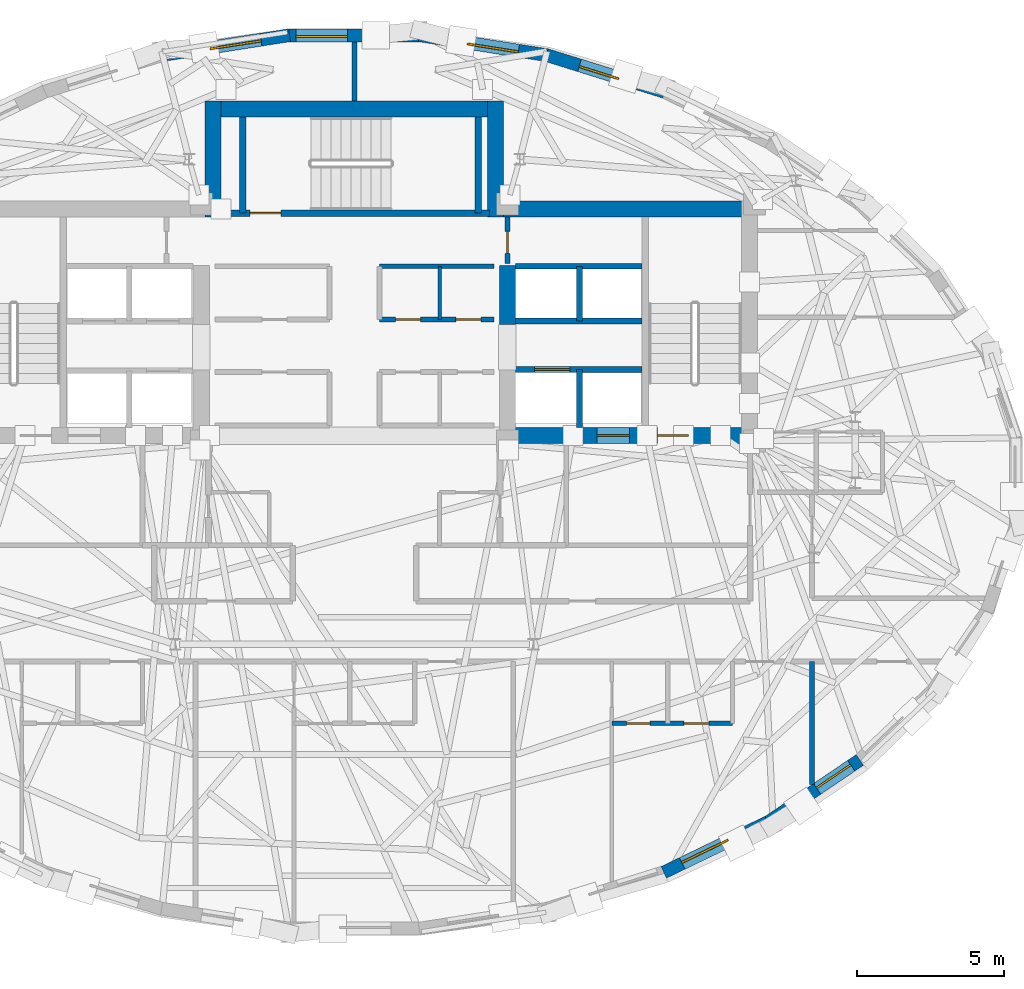
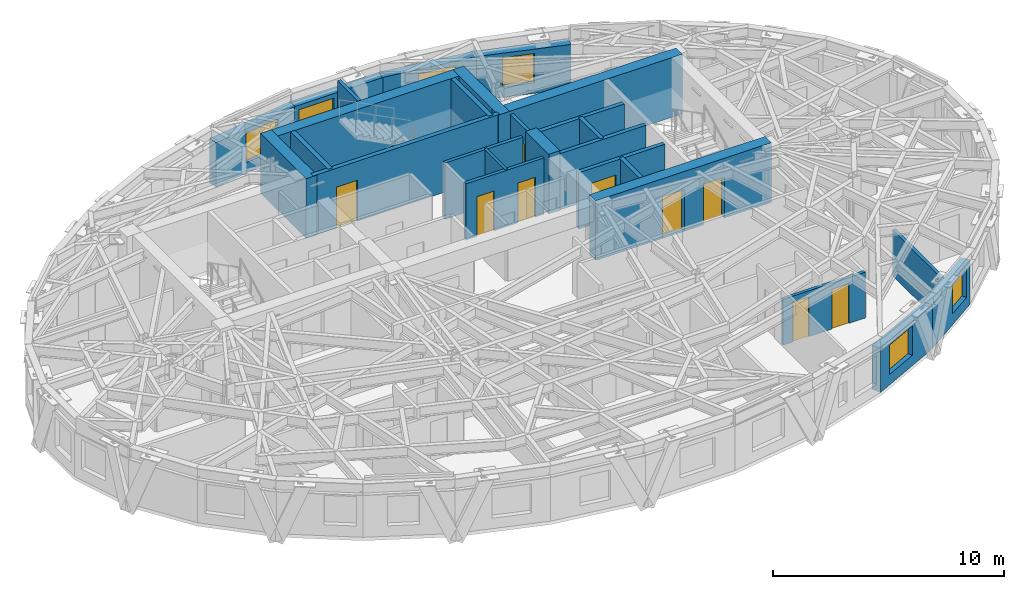
# One storey, part 9 of 14: 27 walls, 9 doors, 6 windows, 15 openings.
"""IFC4 building model written with IfcOpenShell, lengths in metres."""

from ifc_helpers import new_model, si_unit, direction, frame, frame_2d, origin, place, context, subcontext, project, spatial, rectangle, extrude, material, layer, layer_set, type_object, element, fill, save


model = new_model("IFC4")

# Units and contexts
model_context = context("Model", 3, precision=1e-05, world=origin(), true_north=direction((0.0, 1.0)))
body_context = subcontext(model_context, "Body", "Model", "MODEL_VIEW")
ifc_project = project(units=[si_unit("LENGTHUNIT", "METRE"), si_unit("AREAUNIT", "SQUARE_METRE"), si_unit("VOLUMEUNIT", "CUBIC_METRE"), si_unit("PLANEANGLEUNIT", "RADIAN"), si_unit("MASSUNIT", "GRAM", prefix="KILO")], contexts=[model_context])

# Site, building, storey
site_placement = place(None, origin())
site = spatial("IfcSite", under=ifc_project, at=site_placement, CompositionType="ELEMENT")
building_placement = place(site_placement, origin())
building = spatial("IfcBuilding", under=site, at=building_placement, Name="Keldmark Tower", CompositionType="ELEMENT")
storey_placement = place(building_placement, frame((0.0, 0.0, 225.75)))
storey = spatial("IfcBuildingStorey", under=building, at=storey_placement, Name="L63", CompositionType="ELEMENT", Elevation=225.75)

# Wall
ifc_material_1 = material(Name="Concrete C50/60", Category="concrete")
ifc_layer_1 = layer(ifc_material_1, 0.550048828125)
ifc_layer_set_1 = layer_set([ifc_layer_1], Name="Concrete C50/60")
wall_type_1 = type_object("IfcWallType", Name="High-Rise Core Shear Wall 550 mm", PredefinedType="SHEAR", material=ifc_layer_set_1)
wall_1_placement = place(storey_placement, frame((4.52490234375, 9.27490234375, 0.0), z_axis=(0.0, 0.0, 1.0), x_axis=(1.0, 0.0, 0.0)))
element("IfcWall", 1, at=wall_1_placement, inside=storey, type_object=wall_type_1, Name="L63 East Core North Shear Wall", PredefinedType="SHEAR", context=body_context, shape_type="SweptSolid", body=[
    extrude(rectangle(XDim=9.175048828125, YDim=0.550048828125, at=frame_2d((4.58740234375, 0.0))), origin(), (0.0, 0.0, 1.0), 3.14990234375),
])

# Wall, openings, doors
wall_2_placement = place(storey_placement, frame((13.699951171875, 1.574951171875, 0.0), z_axis=(0.0, 0.0, 1.0), x_axis=(-1.0, 0.0, 0.0)))
wall_2 = element("IfcWall", 2, at=wall_2_placement, inside=storey, type_object=wall_type_1, Name="L63 East Core South Shear Wall", PredefinedType="SHEAR", context=body_context, shape_type="SweptSolid", body=[
    extrude(rectangle(XDim=8.77490234375, YDim=0.550048828125, at=frame_2d((4.387451171875, 0.0))), origin(), (0.0, 0.0, 1.0), 3.14990234375),
])
opening_1_placement = place(wall_2_placement, frame((2.35009765625, 0.0, 0.0)))
opening_1 = element("IfcOpeningElement", 3, at=opening_1_placement, cuts=wall_2, Name="Opening D-ST105", PredefinedType="OPENING", context=body_context, shape_type="SweptSolid", body=[
    extrude(rectangle(XDim=1.050048828125, YDim=2.14990234375, at=frame_2d((0.52490234375, 1.074951171875))), frame((0.0, 0.284912109375, 0.0), z_axis=(0.0, -1.0, 0.0), x_axis=(1.0, 0.0, 0.0)), (0.0, 0.0, 1.0), 0.570068359375),
])
opening_2_placement = place(wall_2_placement, frame((4.35009765625, 0.0, 0.0)))
opening_2 = element("IfcOpeningElement", 4, at=opening_2_placement, cuts=wall_2, Name="Opening LD-110", PredefinedType="OPENING", context=body_context, shape_type="SweptSolid", body=[
    extrude(rectangle(XDim=1.10009765625, YDim=2.199951171875, at=frame_2d((0.550048828125, 1.10009765625))), frame((0.0, 0.284912109375, 0.0), z_axis=(0.0, -1.0, 0.0), x_axis=(1.0, 0.0, 0.0)), (0.0, 0.0, 1.0), 0.570068359375),
])
ifc_material_2 = material(Name="Brushed Bronze Hoistway Sliding Leaf", Category="metal")
door_type_1 = type_object("IfcDoorType", Name="Lift Landing Sliding Door 1100x2200", OperationType="SLIDING_TO_LEFT", PredefinedType="DOOR", material=ifc_material_2)
door_1_placement = place(opening_2_placement, origin())
door_1 = element("IfcDoor", 5, at=door_1_placement, inside=storey, type_object=door_type_1, Name="L63 Lift Landing Sliding Door 1100x2200 LD-EL-FS2-L63", OperationType="SLIDING_TO_LEFT", OverallHeight=2.199951171875, OverallWidth=1.10009765625, PredefinedType="DOOR", context=body_context, shape_type="SweptSolid", body=[
    extrude(rectangle(XDim=1.10009765625, YDim=2.199951171875, at=frame_2d((0.550048828125, 1.10009765625))), frame((0.0, 0.02490234375, 0.0), z_axis=(0.0, -1.0, 0.0), x_axis=(1.0, 0.0, 0.0)), (0.0, 0.0, 1.0), 0.050048828125),
])
fill(opening_2, door_1)
ifc_material_3 = material(Name="Hollow Metal Fire-Rated Door Assembly", Category="metal")
door_type_2 = type_object("IfcDoorType", Name="Stair Fire Door 1050x2150", OperationType="NOTDEFINED", PredefinedType="DOOR", material=ifc_material_3)
door_2_placement = place(opening_1_placement, origin())
door_2 = element("IfcDoor", 6, at=door_2_placement, inside=storey, type_object=door_type_2, Name="L63 Stair Fire Door 1050x2150 D-ST2-L63", OperationType="SINGLE_SWING_LEFT", OverallHeight=2.14990234375, OverallWidth=1.050048828125, PredefinedType="DOOR", context=body_context, shape_type="SweptSolid", body=[
    extrude(rectangle(XDim=1.050048828125, YDim=2.14990234375, at=frame_2d((0.52490234375, 1.074951171875))), frame((0.0, 0.02490234375, 0.0), z_axis=(0.0, -1.0, 0.0), x_axis=(1.0, 0.0, 0.0)), (0.0, 0.0, 1.0), 0.050048828125),
])
fill(opening_1, door_2)

# Walls
wall_3_placement = place(storey_placement, frame((5.199951171875, 5.35009765625, 0.0), z_axis=(0.0, 0.0, 1.0), x_axis=(0.0, 1.0, 0.0)))
element("IfcWall", 7, at=wall_3_placement, inside=storey, type_object=wall_type_1, Name="L63 East Core Inner Shear Pier North", PredefinedType="SHEAR", context=body_context, shape_type="SweptSolid", body=[
    extrude(rectangle(XDim=2.0, YDim=0.550048828125, at=frame_2d((1.0, 0.0))), origin(), (0.0, 0.0, 1.0), 3.14990234375),
])
wall_4_placement = place(storey_placement, frame((-5.074951171875, 12.675048828125, 0.0), z_axis=(0.0, 0.0, 1.0), x_axis=(1.0, 0.0, 0.0)))
element("IfcWall", 8, at=wall_4_placement, inside=storey, type_object=wall_type_1, Name="L63 North Core Shear Wall", PredefinedType="SHEAR", context=body_context, shape_type="SweptSolid", body=[
    extrude(rectangle(XDim=10.14990234375, YDim=0.550048828125, at=frame_2d((5.074951171875, 0.0))), origin(), (0.0, 0.0, 1.0), 3.14990234375),
])
for number, where, z_axis, x_axis, name in (
    (9, (-4.800048828125, 9.0, 0.0), (0.0, 0.0, 1.0), (0.0, 1.0, 0.0), "L63 North Core West Shear Wall"),
    (10, (4.800048828125, 9.0, 0.0), (0.0, 0.0, 1.0), (0.0, 1.0, 0.0), "L63 North Core East Shear Wall"),
):
    element("IfcWall", number, at=place(storey_placement, frame(where, z_axis=z_axis, x_axis=x_axis)), inside=storey, type_object=wall_type_1, Name=name, PredefinedType="SHEAR", context=body_context, shape_type="SweptSolid", body=[
        extrude(rectangle(XDim=3.949951171875, YDim=0.550048828125, at=frame_2d((1.97509765625, 0.0))), origin(), (0.0, 0.0, 1.0), 3.14990234375),
    ])
ifc_material_4 = material(Name="Acoustic Gypsum Board Interior Partition", Category="gypsum")
ifc_layer_2 = layer(ifc_material_4, 0.1298828125)
ifc_layer_set_2 = layer_set([ifc_layer_2], Name="Acoustic Gypsum Board Interior Partition")
wall_type_2 = type_object("IfcWallType", Name="Interior Partition 130 mm", PredefinedType="PARTITIONING", material=ifc_layer_set_2)
wall_5_placement = place(storey_placement, frame((2.89990234375, 5.52001953125, 0.0), z_axis=(0.0, 0.0, 1.0), x_axis=(0.0, 1.0, 0.0)))
element("IfcWall", 11, at=wall_5_placement, inside=storey, type_object=wall_type_2, Name="L63 Interior Partition 130 mm REC-ME-M", PredefinedType="PARTITIONING", context=body_context, shape_type="SweptSolid", body=[
    extrude(rectangle(XDim=1.81005859375, YDim=0.1298828125, at=frame_2d((0.905029296875, 0.0))), origin(), (0.0, 0.0, 1.0), 2.969970703125),
])

# Wall, openings, doors
ifc_material_5 = material(Name="Type X Fire-Rated Gypsum Partition Assembly", Category="gypsum")
ifc_layer_3 = layer(ifc_material_5, 0.1650390625)
ifc_layer_set_3 = layer_set([ifc_layer_3], Name="Type X Fire-Rated Gypsum Partition Assembly")
wall_type_3 = type_object("IfcWallType", Name="Rated Partition 165 mm", PredefinedType="PARTITIONING", material=ifc_layer_set_3)
wall_6_placement = place(storey_placement, frame((0.85009765625, 5.52001953125, 0.0), z_axis=(0.0, 0.0, 1.0), x_axis=(1.0, 0.0, 0.0)))
wall_6 = element("IfcWall", 12, at=wall_6_placement, inside=storey, type_object=wall_type_3, Name="L63 Rated Partition 165 mm REC-ME-S", PredefinedType="PARTITIONING", context=body_context, shape_type="SweptSolid", body=[
    extrude(rectangle(XDim=3.889892578125, YDim=0.1650390625, at=frame_2d((1.94482421875, 0.0))), origin(), (0.0, 0.0, 1.0), 2.969970703125),
])
opening_3_placement = place(wall_6_placement, frame((0.550048828125, 0.0, 0.0)))
opening_3 = element("IfcOpeningElement", 13, at=opening_3_placement, cuts=wall_6, Name="Opening D-SV085", PredefinedType="OPENING", context=body_context, shape_type="SweptSolid", body=[
    extrude(rectangle(XDim=0.85009765625, YDim=2.10009765625, at=frame_2d((0.425048828125, 1.050048828125))), frame((0.0, 0.092529296875, 0.0), z_axis=(0.0, -1.0, 0.0), x_axis=(1.0, 0.0, 0.0)), (0.0, 0.0, 1.0), 0.18505859375),
])
opening_4_placement = place(wall_6_placement, frame((2.60009765625, 0.0, 0.0)))
opening_4 = element("IfcOpeningElement", 14, at=opening_4_placement, cuts=wall_6, Name="Opening D-SV085", PredefinedType="OPENING", context=body_context, shape_type="SweptSolid", body=[
    extrude(rectangle(XDim=0.85009765625, YDim=2.10009765625, at=frame_2d((0.425048828125, 1.050048828125))), frame((0.0, 0.092529296875, 0.0), z_axis=(0.0, -1.0, 0.0), x_axis=(1.0, 0.0, 0.0)), (0.0, 0.0, 1.0), 0.18505859375),
])
ifc_material_6 = material(Name="Painted Hollow Metal Door Assembly", Category="metal")
door_type_3 = type_object("IfcDoorType", Name="Service Door 850x2100", OperationType="NOTDEFINED", PredefinedType="DOOR", material=ifc_material_6)
door_3_placement = place(opening_3_placement, origin())
door_3 = element("IfcDoor", 15, at=door_3_placement, inside=storey, type_object=door_type_3, Name="L63 Service Door 850x2100 D-RECME1-L63", OperationType="SINGLE_SWING_LEFT", OverallHeight=2.10009765625, OverallWidth=0.85009765625, PredefinedType="DOOR", context=body_context, shape_type="SweptSolid", body=[
    extrude(rectangle(XDim=0.85009765625, YDim=2.10009765625, at=frame_2d((0.425048828125, 1.050048828125))), frame((0.0, 0.02490234375, 0.0), z_axis=(0.0, -1.0, 0.0), x_axis=(1.0, 0.0, 0.0)), (0.0, 0.0, 1.0), 0.050048828125),
])
fill(opening_3, door_3)
door_4_placement = place(opening_4_placement, origin())
door_4 = element("IfcDoor", 16, at=door_4_placement, inside=storey, type_object=door_type_3, Name="L63 Service Door 850x2100 D-RECME2-L63", OperationType="SINGLE_SWING_RIGHT", OverallHeight=2.10009765625, OverallWidth=0.85009765625, PredefinedType="DOOR", context=body_context, shape_type="SweptSolid", body=[
    extrude(rectangle(XDim=0.85009765625, YDim=2.10009765625, at=frame_2d((0.425048828125, 1.050048828125))), frame((0.0, 0.02490234375, 0.0), z_axis=(0.0, -1.0, 0.0), x_axis=(1.0, 0.0, 0.0)), (0.0, 0.0, 1.0), 0.050048828125),
])
fill(opening_4, door_4)

# Wall
wall_7_placement = place(storey_placement, frame((0.85009765625, 7.330078125, 0.0), z_axis=(0.0, 0.0, 1.0), x_axis=(1.0, 0.0, 0.0)))
element("IfcWall", 17, at=wall_7_placement, inside=storey, type_object=wall_type_3, Name="L63 Rated Partition 165 mm REC-ME-N", PredefinedType="PARTITIONING", context=body_context, shape_type="SweptSolid", body=[
    extrude(rectangle(XDim=3.889892578125, YDim=0.1650390625, at=frame_2d((1.94482421875, 0.0))), origin(), (0.0, 0.0, 1.0), 2.969970703125),
])

# Wall, opening, door
wall_8_placement = place(storey_placement, frame((5.199951171875, 7.419921875, 0.0), z_axis=(0.0, 0.0, 1.0), x_axis=(0.0, 1.0, 0.0)))
wall_8 = element("IfcWall", 18, at=wall_8_placement, inside=storey, type_object=wall_type_3, Name="L63 Rated Partition 165 mm CS-NE-W", PredefinedType="PARTITIONING", context=body_context, shape_type="SweptSolid", body=[
    extrude(rectangle(XDim=1.580078125, YDim=0.1650390625, at=frame_2d((0.7900390625, 0.0))), origin(), (0.0, 0.0, 1.0), 2.969970703125),
])
opening_5_placement = place(wall_8_placement, frame((0.35009765625, 0.0, 0.0)))
opening_5 = element("IfcOpeningElement", 19, at=opening_5_placement, cuts=wall_8, Name="Opening D-RS075", PredefinedType="OPENING", context=body_context, shape_type="SweptSolid", body=[
    extrude(rectangle(XDim=0.75, YDim=2.10009765625, at=frame_2d((0.375, 1.050048828125))), frame((0.0, 0.092529296875, 0.0), z_axis=(0.0, -1.0, 0.0), x_axis=(1.0, 0.0, 0.0)), (0.0, 0.0, 1.0), 0.18505859375),
])
ifc_material_7 = material(Name="Galvanized Fire-Rated Access Leaf", Category="metal")
door_type_4 = type_object("IfcDoorType", Name="Riser Access Door 750x2100", OperationType="NOTDEFINED", PredefinedType="DOOR", material=ifc_material_7)
door_5_placement = place(opening_5_placement, origin())
door_5 = element("IfcDoor", 20, at=door_5_placement, inside=storey, type_object=door_type_4, Name="L63 Riser Access Door 750x2100 D-CSNE1-L63", OperationType="SINGLE_SWING_LEFT", OverallHeight=2.10009765625, OverallWidth=0.75, PredefinedType="DOOR", context=body_context, shape_type="SweptSolid", body=[
    extrude(rectangle(XDim=0.75, YDim=2.10009765625, at=frame_2d((0.375, 1.050048828125))), frame((0.0, 0.02490234375, 0.0), z_axis=(0.0, -1.0, 0.0), x_axis=(1.0, 0.0, 0.0)), (0.0, 0.0, 1.0), 0.050048828125),
])
fill(opening_5, door_5)

# Walls
wall_9_placement = place(storey_placement, frame((0.0, 12.949951171875, 0.0), z_axis=(0.0, 0.0, 1.0), x_axis=(0.0, 1.0, 0.0)))
element("IfcWall", 21, at=wall_9_placement, inside=storey, type_object=wall_type_3, Name="L63 Rated Partition 165 mm RN-DIV", PredefinedType="PARTITIONING", context=body_context, shape_type="SweptSolid", body=[
    extrude(rectangle(XDim=2.002685546875, YDim=0.1650390625, at=frame_2d((1.00146484375, 0.0))), origin(), (0.0, 0.0, 1.0), 2.969970703125),
])
wall_10_placement = place(storey_placement, frame((15.550048828125, -10.27490234375, 0.0), z_axis=(0.0, 0.0, 1.0), x_axis=(0.0, 1.0, 0.0)))
element("IfcWall", 22, at=wall_10_placement, inside=storey, type_object=wall_type_3, Name="L63 Rated Partition 165 mm RS-ECAP", PredefinedType="PARTITIONING", context=body_context, shape_type="SweptSolid", body=[
    extrude(rectangle(XDim=4.1748046875, YDim=0.1650390625, at=frame_2d((2.08740234375, 0.0))), origin(), (0.0, 0.0, 1.0), 2.423095703125),
])

# Wall, opening, door
ifc_material_8 = material(Name="Fire-Resistant Type X Gypsum Shaftliner Coreboard", Category="gypsum")
ifc_layer_4 = layer(ifc_material_8, 0.199951171875)
ifc_layer_set_4 = layer_set([ifc_layer_4], Name="Fire-Resistant Type X Gypsum Shaftliner Coreboard")
wall_type_4 = type_object("IfcWallType", Name="Shaft Wall 200 mm", PredefinedType="SOLIDWALL", material=ifc_layer_set_4)
wall_11_placement = place(storey_placement, frame((5.47509765625, 3.820068359375, 0.0), z_axis=(0.0, 0.0, 1.0), x_axis=(1.0, 0.0, 0.0)))
wall_11 = element("IfcWall", 23, at=wall_11_placement, inside=storey, type_object=wall_type_4, Name="L63 Shaft Wall 200 mm HW-E-S", PredefinedType="SOLIDWALL", context=body_context, shape_type="SweptSolid", body=[
    extrude(rectangle(XDim=4.304931640625, YDim=0.199951171875, at=frame_2d((2.15234375, 0.0))), origin(), (0.0, 0.0, 1.0), 2.969970703125),
])
opening_6_placement = place(wall_11_placement, frame((0.64990234375, 0.0, 0.0)))
opening_6 = element("IfcOpeningElement", 24, at=opening_6_placement, cuts=wall_11, Name="Opening LD-120", PredefinedType="OPENING", context=body_context, shape_type="SweptSolid", body=[
    extrude(rectangle(XDim=1.199951171875, YDim=2.199951171875, at=frame_2d((0.60009765625, 1.10009765625))), frame((0.0, 0.10986328125, 0.0), z_axis=(0.0, -1.0, 0.0), x_axis=(1.0, 0.0, 0.0)), (0.0, 0.0, 1.0), 0.219970703125),
])
ifc_material_9 = material(Name="Heavy-Duty Brushed Metal Hoistway Sliding Leaf", Category="metal")
door_type_5 = type_object("IfcDoorType", Name="Service Lift Sliding Door 1200x2200", OperationType="SLIDING_TO_RIGHT", PredefinedType="DOOR", material=ifc_material_9)
door_6_placement = place(opening_6_placement, origin())
door_6 = element("IfcDoor", 25, at=door_6_placement, inside=storey, type_object=door_type_5, Name="L63 Service Lift Sliding Door 1200x2200 LD-EL-SV1-L63", OperationType="SLIDING_TO_RIGHT", OverallHeight=2.199951171875, OverallWidth=1.199951171875, PredefinedType="DOOR", context=body_context, shape_type="SweptSolid", body=[
    extrude(rectangle(XDim=1.199951171875, YDim=2.199951171875, at=frame_2d((0.60009765625, 1.10009765625))), frame((0.0, 0.02490234375, 0.0), z_axis=(0.0, -1.0, 0.0), x_axis=(1.0, 0.0, 0.0)), (0.0, 0.0, 1.0), 0.050048828125),
])
fill(opening_6, door_6)

# Walls
wall_12_placement = place(storey_placement, frame((7.64990234375, 1.85009765625, 0.0), z_axis=(0.0, 0.0, 1.0), x_axis=(0.0, 1.0, 0.0)))
element("IfcWall", 26, at=wall_12_placement, inside=storey, type_object=wall_type_4, Name="L63 Shaft Wall 200 mm HW-E-M", PredefinedType="SOLIDWALL", context=body_context, shape_type="SweptSolid", body=[
    extrude(rectangle(XDim=1.969970703125, YDim=0.199951171875, at=frame_2d((0.98486328125, 0.0))), origin(), (0.0, 0.0, 1.0), 2.969970703125),
])
for number, where, z_axis, x_axis, name in (
    (27, (5.47509765625, 5.469970703125, 0.0), (0.0, 0.0, 1.0), (1.0, 0.0, 0.0), "L63 Shaft Wall 200 mm HW-E-N"),
    (28, (5.47509765625, 7.330078125, 0.0), (0.0, 0.0, 1.0), (1.0, 0.0, 0.0), "L63 Shaft Wall 200 mm HW-E-TOP"),
):
    element("IfcWall", number, at=place(storey_placement, frame(where, z_axis=z_axis, x_axis=x_axis)), inside=storey, type_object=wall_type_4, Name=name, PredefinedType="SOLIDWALL", context=body_context, shape_type="SweptSolid", body=[
        extrude(rectangle(XDim=4.304931640625, YDim=0.199951171875, at=frame_2d((2.15234375, 0.0))), origin(), (0.0, 0.0, 1.0), 2.969970703125),
    ])
wall_13_placement = place(storey_placement, frame((7.64990234375, 5.469970703125, 0.0), z_axis=(0.0, 0.0, 1.0), x_axis=(0.0, 1.0, 0.0)))
element("IfcWall", 29, at=wall_13_placement, inside=storey, type_object=wall_type_4, Name="L63 Shaft Wall 200 mm HW-E-NM", PredefinedType="SOLIDWALL", context=body_context, shape_type="SweptSolid", body=[
    extrude(rectangle(XDim=1.860107421875, YDim=0.199951171875, at=frame_2d((0.93017578125, 0.0))), origin(), (0.0, 0.0, 1.0), 2.969970703125),
])

# Wall, opening, door
ifc_material_10 = material(Name="Concrete C50/60", Category="concrete")
ifc_layer_5 = layer(ifc_material_10, 0.219970703125)
ifc_layer_set_5 = layer_set([ifc_layer_5], Name="Concrete C50/60")
wall_type_5 = type_object("IfcWallType", Name="Stair Core Shear Wall 220 mm", PredefinedType="SHEAR", material=ifc_layer_set_5)
wall_14_placement = place(storey_placement, frame((-4.699951171875, 9.139892578125, 0.0), z_axis=(0.0, 0.0, 1.0), x_axis=(1.0, 0.0, 0.0)))
wall_14 = element("IfcWall", 30, at=wall_14_placement, inside=storey, type_object=wall_type_5, Name="L63 Central Stair Core South Shear Wall", PredefinedType="SHEAR", context=body_context, shape_type="SweptSolid", body=[
    extrude(rectangle(XDim=9.300048828125, YDim=0.219970703125, at=frame_2d((4.64990234375, 0.0))), origin(), (0.0, 0.0, 1.0), 3.14990234375),
])
opening_7_placement = place(wall_14_placement, frame((1.14990234375, 0.0, 0.0)))
opening_7 = element("IfcOpeningElement", 31, at=opening_7_placement, cuts=wall_14, Name="Opening D-ST105", PredefinedType="OPENING", context=body_context, shape_type="SweptSolid", body=[
    extrude(rectangle(XDim=1.050048828125, YDim=2.14990234375, at=frame_2d((0.52490234375, 1.074951171875))), frame((0.0, 0.119873046875, 0.0), z_axis=(0.0, -1.0, 0.0), x_axis=(1.0, 0.0, 0.0)), (0.0, 0.0, 1.0), 0.239990234375),
])
door_7_placement = place(opening_7_placement, origin())
door_7 = element("IfcDoor", 32, at=door_7_placement, inside=storey, type_object=door_type_2, Name="L63 Stair Fire Door 1050x2150 D-ST3-L63", OperationType="SINGLE_SWING_LEFT", OverallHeight=2.14990234375, OverallWidth=1.050048828125, PredefinedType="DOOR", context=body_context, shape_type="SweptSolid", body=[
    extrude(rectangle(XDim=1.050048828125, YDim=2.14990234375, at=frame_2d((0.52490234375, 1.074951171875))), frame((0.0, 0.02490234375, 0.0), z_axis=(0.0, -1.0, 0.0), x_axis=(1.0, 0.0, 0.0)), (0.0, 0.0, 1.0), 0.050048828125),
])
fill(opening_7, door_7)

# Walls
for number, where, z_axis, x_axis, name in (
    (33, (-3.784912109375, 9.139892578125, 0.0), (0.0, 0.0, 1.0), (0.0, 1.0, 0.0), "L63 Central Stair Core West Shear Wall"),
    (34, (4.215087890625, 9.139892578125, 0.0), (0.0, 0.0, 1.0), (0.0, 1.0, 0.0), "L63 Central Stair Core East Shear Wall"),
):
    element("IfcWall", number, at=place(storey_placement, frame(where, z_axis=z_axis, x_axis=x_axis)), inside=storey, type_object=wall_type_5, Name=name, PredefinedType="SHEAR", context=body_context, shape_type="SweptSolid", body=[
        extrude(rectangle(XDim=3.260009765625, YDim=0.219970703125, at=frame_2d((1.6298828125, 0.0))), origin(), (0.0, 0.0, 1.0), 3.14990234375),
    ])

# Wall, opening, window
ifc_material_11 = material(Name="Ironspot Manganese Brick and Kasota Buff Limestone Spandrel Assembly", Category="masonry")
ifc_layer_6 = layer(ifc_material_11, 0.43994140625)
ifc_layer_set_6 = layer_set([ifc_layer_6], Name="Ironspot Manganese Brick and Kasota Buff Limestone Spandrel Assembly")
wall_type_6 = type_object("IfcWallType", Name="Tower Brick Pier and Spandrel Wall 440 mm", PredefinedType="STANDARD", material=ifc_layer_set_6)
wall_15_placement = place(storey_placement, frame((6.519775390625, 14.51220703125, 0.0), z_axis=(0.0, 0.0, 1.0), x_axis=(0.954643532685, -0.297751113352, 0.0)))
wall_15 = element("IfcWall", 35, at=wall_15_placement, inside=storey, type_object=wall_type_6, Name="L63 Exterior Brick and Spandrel Wall 06", PredefinedType="STANDARD", context=body_context, shape_type="SweptSolid", body=[
    extrude(rectangle(XDim=4.219482421875, YDim=0.43994140625, at=frame_2d((2.10986328125, 0.0))), origin(), (0.0, 0.0, 1.0), 2.3359375),
])
opening_8_placement = place(wall_15_placement, frame((1.1875, 0.0, 0.550048828125)))
opening_8 = element("IfcOpeningElement", 36, at=opening_8_placement, cuts=wall_15, Name="Opening W-08", PredefinedType="OPENING", context=body_context, shape_type="SweptSolid", body=[
    extrude(rectangle(XDim=1.39990234375, YDim=1.550048828125, at=frame_2d((0.699951171875, 0.77490234375))), frame((0.0, 0.22998046875, 0.0), z_axis=(0.0, -1.0, 0.0), x_axis=(1.0, 0.0, 0.0)), (0.0, 0.0, 1.0), 0.4599609375),
])
ifc_material_12 = material(Name="Thermally Broken Anodized Aluminum and Triple Low-E Argon Glazing", Category="aluminium")
window_type_1 = type_object("IfcWindowType", Name="Residential Corner Punched Window 1400x1550", PartitioningType="SINGLE_PANEL", PredefinedType="WINDOW", material=ifc_material_12)
window_1_placement = place(opening_8_placement, origin())
window_1 = element("IfcWindow", 37, at=window_1_placement, inside=storey, type_object=window_type_1, Name="L63 Deep-Set Window 06", OverallHeight=1.550048828125, OverallWidth=1.39990234375, PartitioningType="SINGLE_PANEL", PredefinedType="WINDOW", context=body_context, shape_type="SweptSolid", body=[
    extrude(rectangle(XDim=1.39990234375, YDim=1.550048828125, at=frame_2d((0.699951171875, 0.77490234375))), frame((0.0, -0.010009765625, 0.0), z_axis=(0.0, -1.0, 0.0), x_axis=(1.0, 0.0, 0.0)), (0.0, 0.0, 1.0), 0.06005859375),
])
fill(opening_8, window_1)

wall_16_placement = place(storey_placement, frame((2.202880859375, 15.183349609375, 0.0), z_axis=(0.0, 0.0, 1.0), x_axis=(0.988037139715, -0.154216116355, 0.0)))
wall_16 = element("IfcWall", 38, at=wall_16_placement, inside=storey, type_object=wall_type_6, Name="L63 Exterior Brick and Spandrel Wall 07", PredefinedType="STANDARD", context=body_context, shape_type="SweptSolid", body=[
    extrude(rectangle(XDim=4.401123046875, YDim=0.43994140625, at=frame_2d((2.20068359375, 0.0))), origin(), (0.0, 0.0, 1.0), 2.3359375),
])
opening_9_placement = place(wall_16_placement, frame((1.668212890625, 0.0, 0.550048828125)))
opening_9 = element("IfcOpeningElement", 39, at=opening_9_placement, cuts=wall_16, Name="Opening W-05", PredefinedType="OPENING", context=body_context, shape_type="SweptSolid", body=[
    extrude(rectangle(XDim=1.75, YDim=1.550048828125, at=frame_2d((0.875, 0.77490234375))), frame((0.0, 0.22998046875, 0.0), z_axis=(0.0, -1.0, 0.0), x_axis=(1.0, 0.0, 0.0)), (0.0, 0.0, 1.0), 0.4599609375),
])
ifc_material_13 = material(Name="Thermally Broken Anodized Aluminum and Triple Low-E Argon Glazing", Category="aluminium")
window_type_2 = type_object("IfcWindowType", Name="Residential Deep-Set Window 1750x1550", PartitioningType="DOUBLE_PANEL_VERTICAL", PredefinedType="WINDOW", material=ifc_material_13)
window_2_placement = place(opening_9_placement, origin())
window_2 = element("IfcWindow", 40, at=window_2_placement, inside=storey, type_object=window_type_2, Name="L63 Deep-Set Window 07", OverallHeight=1.550048828125, OverallWidth=1.75, PartitioningType="SINGLE_PANEL", PredefinedType="WINDOW", context=body_context, shape_type="SweptSolid", body=[
    extrude(rectangle(XDim=1.75, YDim=1.550048828125, at=frame_2d((0.875, 0.77490234375))), frame((0.0, -0.010009765625, 0.0), z_axis=(0.0, -1.0, 0.0), x_axis=(1.0, 0.0, 0.0)), (0.0, 0.0, 1.0), 0.06005859375),
])
fill(opening_9, window_2)

wall_17_placement = place(storey_placement, frame((-2.23681640625, 15.1806640625, 0.0), z_axis=(0.0, 0.0, 1.0), x_axis=(1.0, 0.0, 0.0)))
wall_17 = element("IfcWall", 41, at=wall_17_placement, inside=storey, type_object=wall_type_6, Name="L63 Exterior Brick and Spandrel Wall 08", PredefinedType="STANDARD", context=body_context, shape_type="SweptSolid", body=[
    extrude(rectangle(XDim=4.4736328125, YDim=0.43994140625, at=frame_2d((2.23681640625, 0.0))), origin(), (0.0, 0.0, 1.0), 2.3359375),
])
opening_10_placement = place(wall_17_placement, frame((0.24951171875, 0.0, 0.550048828125)))
opening_10 = element("IfcOpeningElement", 42, at=opening_10_placement, cuts=wall_17, Name="Opening W-05", PredefinedType="OPENING", context=body_context, shape_type="SweptSolid", body=[
    extrude(rectangle(XDim=1.75, YDim=1.550048828125, at=frame_2d((0.875, 0.77490234375))), frame((0.0, 0.22998046875, 0.0), z_axis=(0.0, -1.0, 0.0), x_axis=(1.0, 0.0, 0.0)), (0.0, 0.0, 1.0), 0.4599609375),
])
window_3_placement = place(opening_10_placement, origin())
window_3 = element("IfcWindow", 43, at=window_3_placement, inside=storey, type_object=window_type_2, Name="L63 Deep-Set Window 08", OverallHeight=1.550048828125, OverallWidth=1.75, PartitioningType="SINGLE_PANEL", PredefinedType="WINDOW", context=body_context, shape_type="SweptSolid", body=[
    extrude(rectangle(XDim=1.75, YDim=1.550048828125, at=frame_2d((0.875, 0.77490234375))), frame((0.0, -0.010009765625, 0.0), z_axis=(0.0, -1.0, 0.0), x_axis=(1.0, 0.0, 0.0)), (0.0, 0.0, 1.0), 0.06005859375),
])
fill(opening_10, window_3)

wall_18_placement = place(storey_placement, frame((-6.55126953125, 14.504638671875, 0.0), z_axis=(0.0, 0.0, 1.0), x_axis=(0.988037139715, 0.154216116355, 0.0)))
wall_18 = element("IfcWall", 44, at=wall_18_placement, inside=storey, type_object=wall_type_6, Name="L63 Exterior Brick and Spandrel Wall 09", PredefinedType="STANDARD", context=body_context, shape_type="SweptSolid", body=[
    extrude(rectangle(XDim=4.401123046875, YDim=0.43994140625, at=frame_2d((2.20068359375, 0.0))), origin(), (0.0, 0.0, 1.0), 2.3359375),
])
opening_11_placement = place(wall_18_placement, frame((1.668212890625, 0.0, 0.550048828125)))
opening_11 = element("IfcOpeningElement", 45, at=opening_11_placement, cuts=wall_18, Name="Opening W-05", PredefinedType="OPENING", context=body_context, shape_type="SweptSolid", body=[
    extrude(rectangle(XDim=1.75, YDim=1.550048828125, at=frame_2d((0.875, 0.77490234375))), frame((0.0, 0.22998046875, 0.0), z_axis=(0.0, -1.0, 0.0), x_axis=(1.0, 0.0, 0.0)), (0.0, 0.0, 1.0), 0.4599609375),
])
window_4_placement = place(opening_11_placement, origin())
window_4 = element("IfcWindow", 46, at=window_4_placement, inside=storey, type_object=window_type_2, Name="L63 Deep-Set Window 09", OverallHeight=1.550048828125, OverallWidth=1.75, PartitioningType="SINGLE_PANEL", PredefinedType="WINDOW", context=body_context, shape_type="SweptSolid", body=[
    extrude(rectangle(XDim=1.75, YDim=1.550048828125, at=frame_2d((0.875, 0.77490234375))), frame((0.0, -0.010009765625, 0.0), z_axis=(0.0, -1.0, 0.0), x_axis=(1.0, 0.0, 0.0)), (0.0, 0.0, 1.0), 0.06005859375),
])
fill(opening_11, window_4)

wall_19_placement = place(storey_placement, frame((14.1025390625, -11.534912109375, 0.0), z_axis=(0.0, 0.0, 1.0), x_axis=(-0.900331335269, -0.435205108808, 0.0)))
wall_19 = element("IfcWall", 47, at=wall_19_placement, inside=storey, type_object=wall_type_6, Name="L63 Exterior Brick and Spandrel Wall 27", PredefinedType="STANDARD", context=body_context, shape_type="SweptSolid", body=[
    extrude(rectangle(XDim=3.98193359375, YDim=0.43994140625, at=frame_2d((1.990966796875, 0.0))), origin(), (0.0, 0.0, 1.0), 2.3359375),
])
opening_12_placement = place(wall_19_placement, frame((1.536865234375, 0.0, 0.550048828125)))
opening_12 = element("IfcOpeningElement", 48, at=opening_12_placement, cuts=wall_19, Name="Opening W-05", PredefinedType="OPENING", context=body_context, shape_type="SweptSolid", body=[
    extrude(rectangle(XDim=1.75, YDim=1.550048828125, at=frame_2d((0.875, 0.77490234375))), frame((0.0, 0.22998046875, 0.0), z_axis=(0.0, -1.0, 0.0), x_axis=(1.0, 0.0, 0.0)), (0.0, 0.0, 1.0), 0.4599609375),
])
window_5_placement = place(opening_12_placement, origin())
window_5 = element("IfcWindow", 49, at=window_5_placement, inside=storey, type_object=window_type_2, Name="L63 Deep-Set Window 27", OverallHeight=1.550048828125, OverallWidth=1.75, PartitioningType="SINGLE_PANEL", PredefinedType="WINDOW", context=body_context, shape_type="SweptSolid", body=[
    extrude(rectangle(XDim=1.75, YDim=1.550048828125, at=frame_2d((0.875, 0.77490234375))), frame((0.0, -0.010009765625, 0.0), z_axis=(0.0, -1.0, 0.0), x_axis=(1.0, 0.0, 0.0)), (0.0, 0.0, 1.0), 0.06005859375),
])
fill(opening_12, window_5)

wall_20_placement = place(storey_placement, frame((17.17724609375, -9.44677734375, 0.0), z_axis=(0.0, 0.0, 1.0), x_axis=(-0.827635686249, -0.561265686504, 0.0)))
wall_20 = element("IfcWall", 50, at=wall_20_placement, inside=storey, type_object=wall_type_6, Name="L63 Exterior Brick and Spandrel Wall 28", PredefinedType="STANDARD", context=body_context, shape_type="SweptSolid", body=[
    extrude(rectangle(XDim=3.748779296875, YDim=0.43994140625, at=frame_2d((1.87451171875, 0.0))), origin(), (0.0, 0.0, 1.0), 2.3359375),
])
opening_13_placement = place(wall_20_placement, frame((0.349853515625, 0.0, 0.580078125)))
opening_13 = element("IfcOpeningElement", 51, at=opening_13_placement, cuts=wall_20, Name="Opening W-08", PredefinedType="OPENING", context=body_context, shape_type="SweptSolid", body=[
    extrude(rectangle(XDim=1.39990234375, YDim=1.550048828125, at=frame_2d((0.699951171875, 0.77490234375))), frame((0.0, 0.22998046875, 0.0), z_axis=(0.0, -1.0, 0.0), x_axis=(1.0, 0.0, 0.0)), (0.0, 0.0, 1.0), 0.4599609375),
])
window_6_placement = place(opening_13_placement, origin())
window_6 = element("IfcWindow", 52, at=window_6_placement, inside=storey, type_object=window_type_1, Name="L63 Deep-Set Window 28", OverallHeight=1.550048828125, OverallWidth=1.39990234375, PartitioningType="SINGLE_PANEL", PredefinedType="WINDOW", context=body_context, shape_type="SweptSolid", body=[
    extrude(rectangle(XDim=1.39990234375, YDim=1.550048828125, at=frame_2d((0.699951171875, 0.77490234375))), frame((0.0, -0.010009765625, 0.0), z_axis=(0.0, -1.0, 0.0), x_axis=(1.0, 0.0, 0.0)), (0.0, 0.0, 1.0), 0.06005859375),
])
fill(opening_13, window_6)

# Wall, openings, doors
ifc_material_14 = material(Name="Moisture-Resistant Gypsum Plumbing Partition", Category="gypsum")
ifc_layer_7 = layer(ifc_material_14, 0.14990234375)
ifc_layer_set_7 = layer_set([ifc_layer_7], Name="Moisture-Resistant Gypsum Plumbing Partition")
wall_type_7 = type_object("IfcWallType", Name="Wet Wall 150 mm", PredefinedType="PLUMBINGWALL", material=ifc_layer_set_7)
wall_21_placement = place(storey_placement, frame((8.75, -8.199951171875, 0.0), z_axis=(0.0, 0.0, 1.0), x_axis=(1.0, 0.0, 0.0)))
wall_21 = element("IfcWall", 53, at=wall_21_placement, inside=storey, type_object=wall_type_7, Name="L63 Wet Wall 150 mm UC-BK-S", PredefinedType="PLUMBINGWALL", context=body_context, shape_type="SweptSolid", body=[
    extrude(rectangle(XDim=4.10009765625, YDim=0.14990234375, at=frame_2d((2.050048828125, 0.0))), origin(), (0.0, 0.0, 1.0), 2.423095703125),
])
opening_14_placement = place(wall_21_placement, frame((0.5, 0.0, 0.0)))
opening_14 = element("IfcOpeningElement", 54, at=opening_14_placement, cuts=wall_21, Name="Opening D-BT080", PredefinedType="OPENING", context=body_context, shape_type="SweptSolid", body=[
    extrude(rectangle(XDim=0.800048828125, YDim=2.10009765625, at=frame_2d((0.39990234375, 1.050048828125))), frame((0.0, 0.0849609375, 0.0), z_axis=(0.0, -1.0, 0.0), x_axis=(1.0, 0.0, 0.0)), (0.0, 0.0, 1.0), 0.169921875),
])
opening_15_placement = place(wall_21_placement, frame((2.449951171875, 0.0, 0.0)))
opening_15 = element("IfcOpeningElement", 55, at=opening_15_placement, cuts=wall_21, Name="Opening D-IN085", PredefinedType="OPENING", context=body_context, shape_type="SweptSolid", body=[
    extrude(rectangle(XDim=0.85009765625, YDim=2.10009765625, at=frame_2d((0.425048828125, 1.050048828125))), frame((0.0, 0.0849609375, 0.0), z_axis=(0.0, -1.0, 0.0), x_axis=(1.0, 0.0, 0.0)), (0.0, 0.0, 1.0), 0.169921875),
])
ifc_material_15 = material(Name="Moisture-Sealed Stained Wood", Category="wood")
door_type_6 = type_object("IfcDoorType", Name="Bathroom Door 800x2100", OperationType="NOTDEFINED", PredefinedType="DOOR", material=ifc_material_15)
door_8_placement = place(opening_14_placement, origin())
door_8 = element("IfcDoor", 56, at=door_8_placement, inside=storey, type_object=door_type_6, Name="L63 Bathroom Door 800x2100 D-UC-BATH-L63", OperationType="SINGLE_SWING_LEFT", OverallHeight=2.10009765625, OverallWidth=0.800048828125, PredefinedType="DOOR", context=body_context, shape_type="SweptSolid", body=[
    extrude(rectangle(XDim=0.800048828125, YDim=2.10009765625, at=frame_2d((0.39990234375, 1.050048828125))), frame((0.0, 0.02490234375, 0.0), z_axis=(0.0, -1.0, 0.0), x_axis=(1.0, 0.0, 0.0)), (0.0, 0.0, 1.0), 0.050048828125),
])
fill(opening_14, door_8)
ifc_material_16 = material(Name="Painted Architectural Wood", Category="wood")
door_type_7 = type_object("IfcDoorType", Name="Interior Door 850x2100", OperationType="NOTDEFINED", PredefinedType="DOOR", material=ifc_material_16)
door_9_placement = place(opening_15_placement, origin())
door_9 = element("IfcDoor", 57, at=door_9_placement, inside=storey, type_object=door_type_7, Name="L63 Interior Door 850x2100 D-UC-KIT-L63", OperationType="SINGLE_SWING_RIGHT", OverallHeight=2.10009765625, OverallWidth=0.85009765625, PredefinedType="DOOR", context=body_context, shape_type="SweptSolid", body=[
    extrude(rectangle(XDim=0.85009765625, YDim=2.10009765625, at=frame_2d((0.425048828125, 1.050048828125))), frame((0.0, 0.02490234375, 0.0), z_axis=(0.0, -1.0, 0.0), x_axis=(1.0, 0.0, 0.0)), (0.0, 0.0, 1.0), 0.050048828125),
])
fill(opening_15, door_9)

save(model, "model.ifc")
